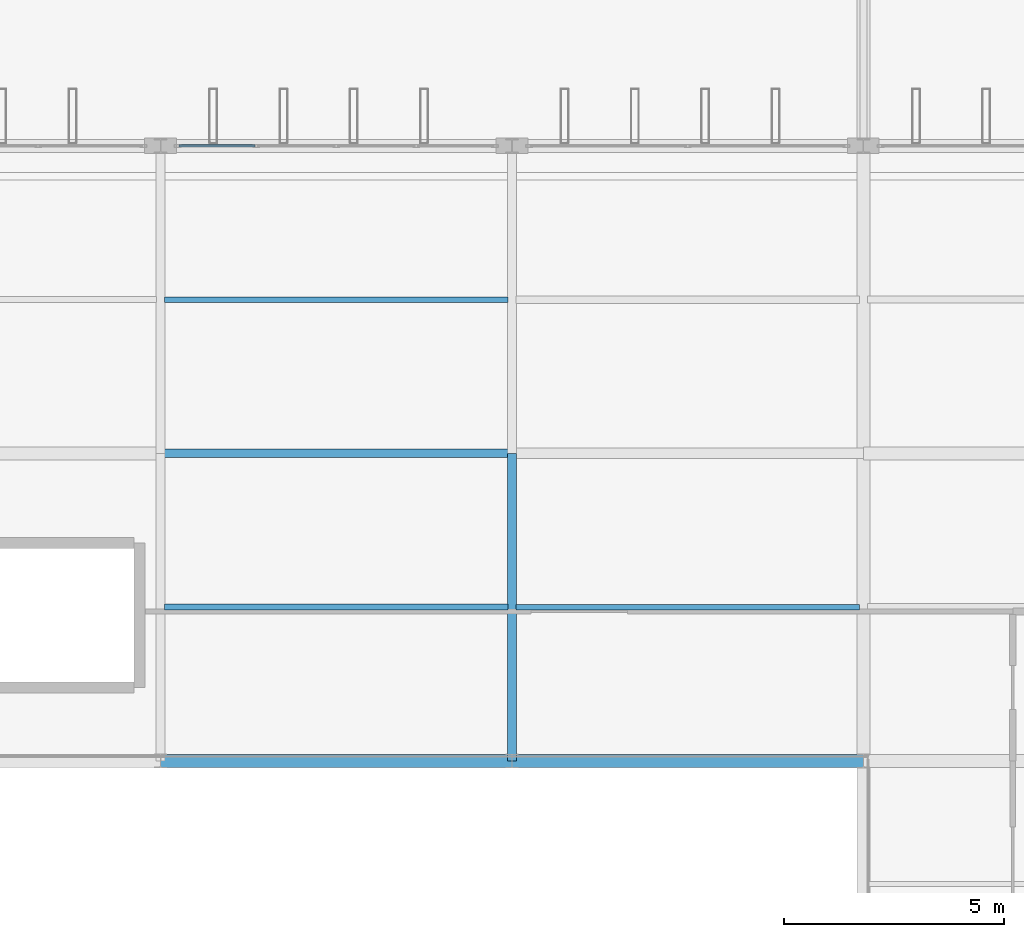
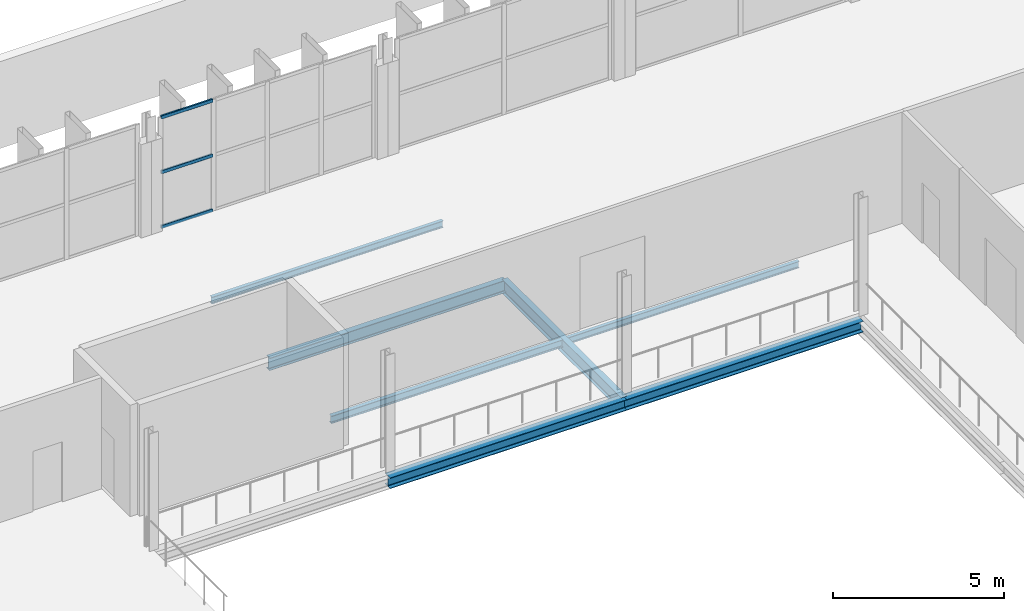
# One storey, part 48 of 93: 7 beams, 3 members, 1 element without a shape of its own.
"""IFC4 building model written with IfcOpenShell, lengths in metres."""

from ifc_helpers import new_model, si_unit, direction, frame, origin, origin_2d, place, context, subcontext, project, spatial, hollow_rectangle, i_section, extrude, material, layer, layer_set, material_profile, profile_set, type_object, element, aggregate, save


model = new_model("IFC4")

# Units and contexts
model_context = context("Model", 3, precision=1e-05, world=origin(), true_north=direction((0.0, 1.0)))
body_context = subcontext(model_context, "Body", "Model", "MODEL_VIEW")
ifc_project = project(units=[si_unit("LENGTHUNIT", "METRE"), si_unit("AREAUNIT", "SQUARE_METRE"), si_unit("VOLUMEUNIT", "CUBIC_METRE"), si_unit("PLANEANGLEUNIT", "RADIAN"), si_unit("MASSUNIT", "GRAM", prefix="KILO")], contexts=[model_context])

# Site, building, storey
site_placement = place(None, origin())
site = spatial("IfcSite", under=ifc_project, at=site_placement, CompositionType="ELEMENT")
building_placement = place(site_placement, origin())
building = spatial("IfcBuilding", under=site, at=building_placement, Name="Vekula Escarpment Museum", CompositionType="ELEMENT")
storey_placement = place(building_placement, frame((0.0, 0.0, 22.199951171875)))
storey = spatial("IfcBuildingStorey", under=building, at=storey_placement, Name="L05", CompositionType="ELEMENT", Elevation=22.199951171875)

# Beams
ifc_material_1 = material(Name="Steel S355", Category="steel")
ifc_material_profile_1 = material_profile(ifc_material_1, i_section(OverallWidth=0.18994140625, OverallDepth=0.449951171875, WebThickness=0.009521484375, FlangeThickness=0.0146484375, FilletRadius=0.02099609375, at=origin_2d()), Name="IPE 450")
ifc_profile_set_1 = profile_set([ifc_material_profile_1], Name="Steel S355")
beam_type_1 = type_object("IfcBeamType", Name="BM-GIRD-IPE450", PredefinedType="BEAM", material=ifc_profile_set_1)
beam_1_placement = place(storey_placement, frame((94.0, 83.39990234375, -0.445068359375), z_axis=(1.0, 0.0, 0.0), x_axis=(0.0, 1.0, 0.0)))
element("IfcBeam", 1, at=beam_1_placement, inside=storey, type_object=beam_type_1, Name="Beam X L05 2039", PredefinedType="BEAM", context=body_context, shape_type="SweptSolid", body=[
    extrude(i_section(OverallWidth=0.18994140625, OverallDepth=0.449951171875, WebThickness=0.009521484375, FlangeThickness=0.0146484375, FilletRadius=0.02099609375, at=origin_2d()), origin(), (0.0, 0.0, 1.0), 8.0),
])
ifc_material_2 = material(Name="Steel S355", Category="steel")
ifc_material_profile_2 = material_profile(ifc_material_2, i_section(OverallWidth=0.199951171875, OverallDepth=0.5, WebThickness=0.01025390625, FlangeThickness=0.01611328125, FilletRadius=0.02099609375, at=origin_2d()), Name="IPE 500")
ifc_profile_set_2 = profile_set([ifc_material_profile_2], Name="Steel S355")
beam_type_2 = type_object("IfcBeamType", Name="BM-GIRD-IPE500", PredefinedType="BEAM", material=ifc_profile_set_2)
beam_2_placement = place(storey_placement, frame((102.0, 76.39990234375, -0.469970703125), z_axis=(0.0, 1.0, 0.0), x_axis=(-1.0, 0.0, 0.0)))
element("IfcBeam", 2, at=beam_2_placement, inside=storey, type_object=beam_type_2, Name="Beam Y L05 2140", PredefinedType="BEAM", context=body_context, shape_type="SweptSolid", body=[
    extrude(i_section(OverallWidth=0.199951171875, OverallDepth=0.5, WebThickness=0.01025390625, FlangeThickness=0.01611328125, FilletRadius=0.02099609375, at=origin_2d()), origin(), (0.0, 0.0, 1.0), 7.0),
])
ifc_material_3 = material(Name="Steel S355", Category="steel")
ifc_material_profile_3 = material_profile(ifc_material_3, i_section(OverallWidth=0.1201171875, OverallDepth=0.239990234375, WebThickness=0.006103515625, FlangeThickness=0.009765625, FilletRadius=0.014892578125, at=origin_2d()), Name="IPE 240")
ifc_profile_set_3 = profile_set([ifc_material_profile_3], Name="Steel S355")
beam_type_3 = type_object("IfcBeamType", Name="BM-JST-IPE240", PredefinedType="JOIST", material=ifc_profile_set_3)
for number, where, z_axis, x_axis, name in (
    (3, (94.090087890625, 86.89990234375, -0.33984375), (1.0, 0.0, 0.0), (0.0, 1.0, 0.0), "Secondary Joist L05 1361"),
    (4, (102.090087890625, 79.89990234375, -0.33984375), (1.0, 0.0, 0.0), (0.0, 1.0, 0.0), "Secondary Joist L05 1364"),
):
    element("IfcBeam", number, at=place(storey_placement, frame(where, z_axis=z_axis, x_axis=x_axis)), inside=storey, type_object=beam_type_3, Name=name, PredefinedType="JOIST", context=body_context, shape_type="SweptSolid", body=[
        extrude(i_section(OverallWidth=0.1201171875, OverallDepth=0.239990234375, WebThickness=0.006103515625, FlangeThickness=0.009765625, FilletRadius=0.014892578125, at=origin_2d()), origin(), (0.0, 0.0, 1.0), 7.81982421875),
    ])
ifc_material_4 = material(Name="Steel S355", Category="steel")
ifc_material_profile_4 = material_profile(ifc_material_4, i_section(OverallWidth=0.135009765625, OverallDepth=0.27001953125, WebThickness=0.006591796875, FlangeThickness=0.01025390625, FilletRadius=0.014892578125, at=origin_2d()), Name="IPE 270")
ifc_profile_set_4 = profile_set([ifc_material_profile_4], Name="Steel S355")
beam_type_4 = type_object("IfcBeamType", Name="BM-JST-IPE270", PredefinedType="JOIST", material=ifc_profile_set_4)
beam_3_placement = place(storey_placement, frame((94.090087890625, 79.89990234375, -0.35498046875), z_axis=(1.0, 0.0, 0.0), x_axis=(0.0, 1.0, 0.0)))
element("IfcBeam", 5, at=beam_3_placement, inside=storey, type_object=beam_type_4, Name="Secondary Joist L05 1360", PredefinedType="JOIST", context=body_context, shape_type="SweptSolid", body=[
    extrude(i_section(OverallWidth=0.135009765625, OverallDepth=0.27001953125, WebThickness=0.006591796875, FlangeThickness=0.01025390625, FilletRadius=0.014892578125, at=origin_2d()), origin(), (0.0, 0.0, 1.0), 7.81982421875),
])
ifc_material_5 = material(Name="Steel S355", Category="steel")
ifc_material_profile_5 = material_profile(ifc_material_5, i_section(OverallWidth=0.300048828125, OverallDepth=0.389892578125, WebThickness=0.010986328125, FlangeThickness=0.01904296875, FilletRadius=0.027099609375, at=origin_2d()), Name="HEA 400")
ifc_profile_set_5 = profile_set([ifc_material_profile_5], Name="Steel S355")
beam_type_5 = type_object("IfcBeamType", Name="BM-SPAN-HEA400", PredefinedType="SPANDREL", material=ifc_profile_set_5)
for number, where, z_axis, x_axis, name in (
    (6, (94.0, 76.39990234375, -0.4150390625), (1.0, 0.0, 0.0), (0.0, 1.0, 0.0), "Beam X L05 2019"),
    (7, (102.0, 76.39990234375, -0.4150390625), (1.0, 0.0, 0.0), (0.0, 1.0, 0.0), "Beam X L05 2020"),
):
    element("IfcBeam", number, at=place(storey_placement, frame(where, z_axis=z_axis, x_axis=x_axis)), inside=storey, type_object=beam_type_5, Name=name, PredefinedType="SPANDREL", context=body_context, shape_type="SweptSolid", body=[
        extrude(i_section(OverallWidth=0.300048828125, OverallDepth=0.389892578125, WebThickness=0.010986328125, FlangeThickness=0.01904296875, FilletRadius=0.027099609375, at=origin_2d()), origin(), (0.0, 0.0, 1.0), 8.0),
    ])

# Curtain wall, members
ifc_material_6 = material(Name="Aluminium thermally broken framing", Category="aluminium")
ifc_layer = layer(ifc_material_6, 0.14990234375)
ifc_layer_set = layer_set([ifc_layer], Name="Aluminium thermally broken framing")
curtain_wall_type = type_object("IfcCurtainWallType", Name="CW-SYS-09", PredefinedType="NOTDEFINED", material=ifc_layer_set)
curtain_wall_placement = place(storey_placement, origin())
curtain_wall = element("IfcCurtainWall", 8, at=curtain_wall_placement, inside=storey, type_object=curtain_wall_type, Name="Curtain Wall CW-L05-179", PredefinedType="NOTDEFINED")
ifc_material_7 = material(Name="Aluminium anodized transom", Category="aluminium")
ifc_material_profile_6 = material_profile(ifc_material_7, hollow_rectangle(XDim=0.06005859375, YDim=0.1201171875, WallThickness=0.00390625, InnerFilletRadius=0.00390625, OuterFilletRadius=0.008056640625, at=origin_2d()), Name="ALU 120x60x4")
ifc_profile_set_6 = profile_set([ifc_material_profile_6], Name="Aluminium anodized transom")
member_type = type_object("IfcMemberType", Name="CW-TRN-120", PredefinedType="USERDEFINED", material=ifc_profile_set_6)
member_1_placement = place(storey_placement, frame((96.14990234375, 90.39990234375, 0.030029296875), z_axis=(-1.0, 0.0, 0.0), x_axis=(0.0, -1.0, 0.0)))
member_1 = element("IfcMember", 9, at=member_1_placement, type_object=member_type, Name="CW-09 transom 4.1", ObjectType="TRANSOM", PredefinedType="USERDEFINED", context=body_context, shape_type="SweptSolid", body=[
    extrude(hollow_rectangle(XDim=0.06005859375, YDim=0.1201171875, WallThickness=0.00390625, InnerFilletRadius=0.00390625, OuterFilletRadius=0.008056640625, at=origin_2d()), origin(), (0.0, 0.0, 1.0), 1.72998046875),
])
member_2_placement = place(storey_placement, frame((96.14990234375, 90.39990234375, 1.989990234375), z_axis=(-1.0, 0.0, 0.0), x_axis=(0.0, -1.0, 0.0)))
member_2 = element("IfcMember", 10, at=member_2_placement, type_object=member_type, Name="CW-09 transom 4.2", ObjectType="TRANSOM", PredefinedType="USERDEFINED", context=body_context, shape_type="SweptSolid", body=[
    extrude(hollow_rectangle(XDim=0.06005859375, YDim=0.1201171875, WallThickness=0.00390625, InnerFilletRadius=0.00390625, OuterFilletRadius=0.008056640625, at=origin_2d()), origin(), (0.0, 0.0, 1.0), 1.72998046875),
])
member_3_placement = place(storey_placement, frame((96.14990234375, 90.39990234375, 3.949951171875), z_axis=(-1.0, 0.0, 0.0), x_axis=(0.0, -1.0, 0.0)))
member_3 = element("IfcMember", 11, at=member_3_placement, type_object=member_type, Name="CW-09 transom 4.3", ObjectType="TRANSOM", PredefinedType="USERDEFINED", context=body_context, shape_type="SweptSolid", body=[
    extrude(hollow_rectangle(XDim=0.06005859375, YDim=0.1201171875, WallThickness=0.00390625, InnerFilletRadius=0.00390625, OuterFilletRadius=0.008056640625, at=origin_2d()), origin(), (0.0, 0.0, 1.0), 1.72998046875),
])
aggregate(curtain_wall, [member_1, member_2, member_3])

save(model, "model.ifc")
